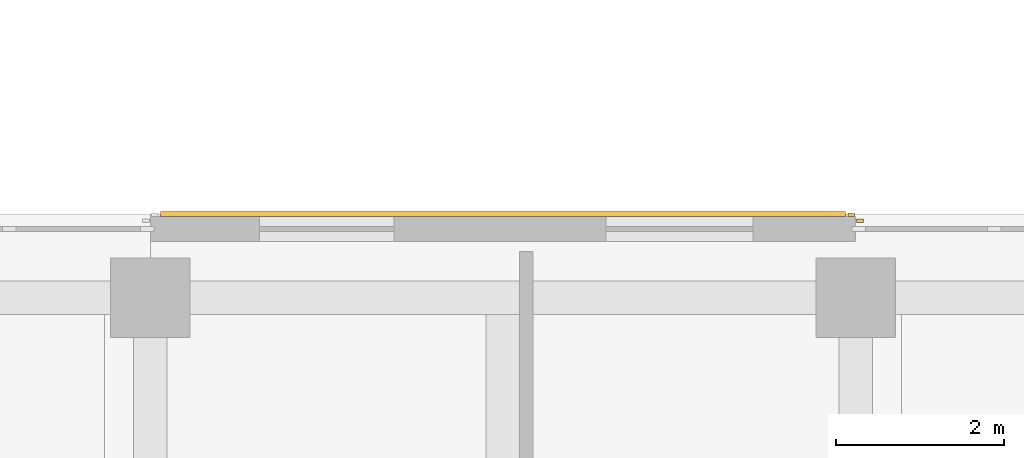
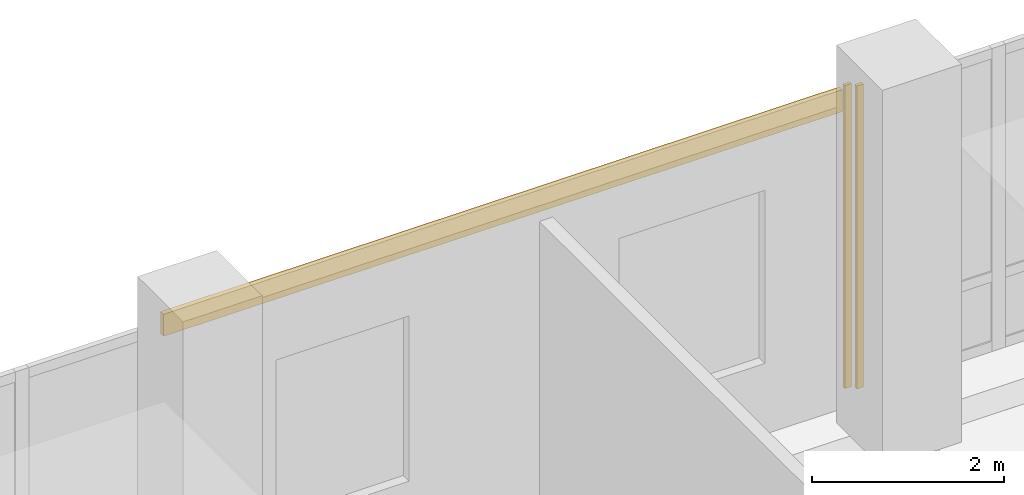
# One storey, part 117 of 122: 3 coverings.
"""IFC4 building model written with IfcOpenShell, lengths in metres."""

from ifc_helpers import new_model, si_unit, direction, frame, origin, origin_2d, place, context, subcontext, project, spatial, rectangle, extrude, material, layer, layer_set, type_object, element, save


model = new_model("IFC4")

# Units and contexts
model_context = context("Model", 3, precision=1e-05, world=origin(), true_north=direction((0.0, 1.0)))
body_context = subcontext(model_context, "Body", "Model", "MODEL_VIEW")
ifc_project = project(units=[si_unit("LENGTHUNIT", "METRE"), si_unit("AREAUNIT", "SQUARE_METRE"), si_unit("VOLUMEUNIT", "CUBIC_METRE"), si_unit("PLANEANGLEUNIT", "RADIAN"), si_unit("MASSUNIT", "GRAM", prefix="KILO")], contexts=[model_context])

# Site, building, storey
site_placement = place(None, origin())
site = spatial("IfcSite", under=ifc_project, at=site_placement, CompositionType="ELEMENT")
building_placement = place(site_placement, origin())
building = spatial("IfcBuilding", under=site, at=building_placement, Name="Telukmera Botanical Conservatory", CompositionType="ELEMENT")
storey_placement = place(building_placement, frame((0.0, 0.0, 10.199951171875)))
storey = spatial("IfcBuildingStorey", under=building, at=storey_placement, Name="L02", CompositionType="ELEMENT", Elevation=10.199951171875)

# Coverings
ifc_material_1 = material(Name="Granite-faced precast concrete C40/50", Category="masonry")
ifc_layer_1 = layer(ifc_material_1, 0.0400390625)
ifc_layer_set_1 = layer_set([ifc_layer_1], Name="Granite-faced precast concrete C40/50")
covering_type_1 = type_object("IfcCoveringType", Name="Granite Precast Column Pier Reveal Casing", PredefinedType="CLADDING", material=ifc_layer_set_1)
for number, where, z_axis, x_axis, name in (
    (1, (100.748046875, 49.18994140625, 0.0), (0.0, 0.0, 1.0), (1.0, 0.0, 0.0), "Granite Pier Reveal V4:L02:N6 R"),
    (2, (100.85205078125, 49.1201171875, 0.0), (0.0, 0.0, 1.0), (1.0, 0.0, 0.0), "Granite Pier Reveal V4:L02:N7 L"),
):
    element("IfcCovering", number, at=place(storey_placement, frame(where, z_axis=z_axis, x_axis=x_axis)), inside=storey, type_object=covering_type_1, Name=name, PredefinedType="CLADDING", context=body_context, shape_type="SweptSolid", body=[
        extrude(rectangle(XDim=0.080078125, YDim=0.0400390625, at=origin_2d()), origin(), (0.0, 0.0, 1.0), 3.85009765625),
    ])
ifc_material_2 = material(Name="Terracotta-faced precast concrete C40/50", Category="masonry")
ifc_layer_2 = layer(ifc_material_2, 0.06005859375)
ifc_layer_set_2 = layer_set([ifc_layer_2], Name="Terracotta-faced precast concrete C40/50")
covering_type_2 = type_object("IfcCoveringType", Name="Polychrome Terracotta Facade Band Cladding", PredefinedType="CLADDING", material=ifc_layer_set_2)
covering_placement = place(storey_placement, frame((96.60009765625, 49.199951171875, 3.5302734375), z_axis=(0.0, 0.0, 1.0), x_axis=(1.0, 0.0, 0.0)))
element("IfcCovering", 3, at=covering_placement, inside=storey, type_object=covering_type_2, Name="Polychrome Terracotta Band V4:L02:N6", PredefinedType="CLADDING", context=body_context, shape_type="SweptSolid", body=[
    extrude(rectangle(XDim=8.156005859375, YDim=0.06005859375, at=origin_2d()), origin(), (0.0, 0.0, 1.0), 0.280029296875),
])

save(model, "model.ifc")
